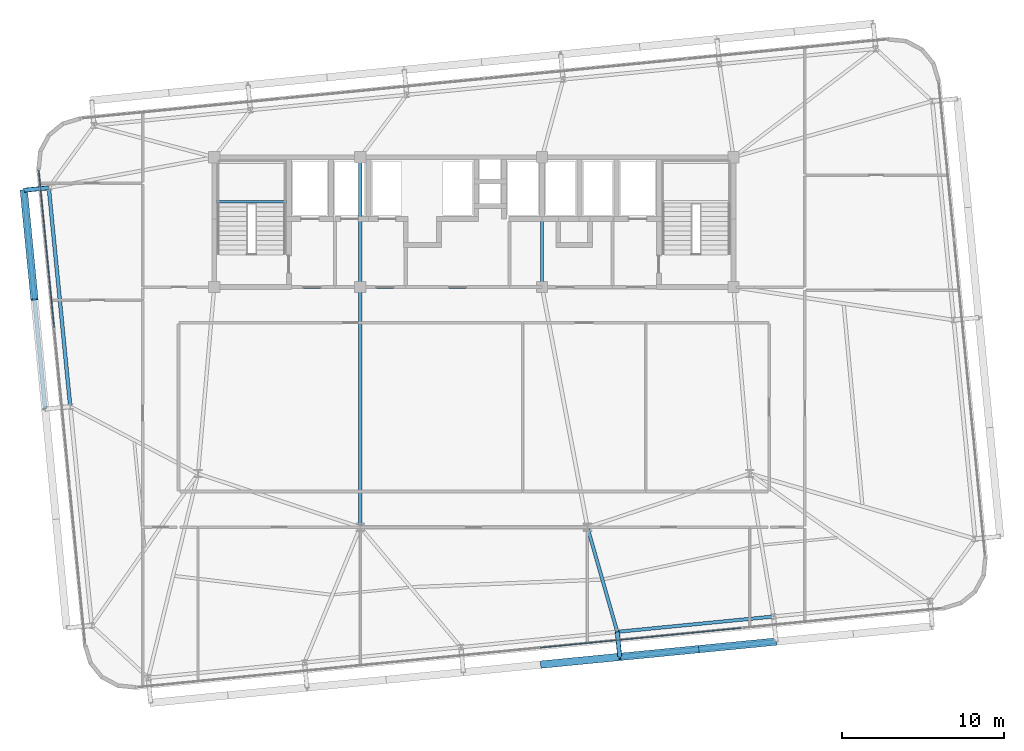
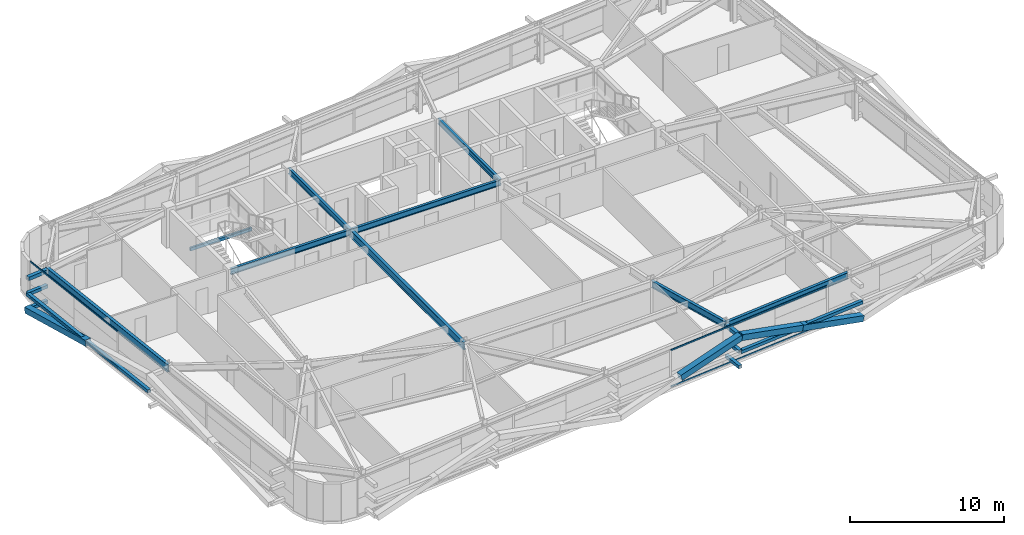
# One storey, part 14 of 47: 16 members, 9 beams, 2 elements without a shape of their own.
"""IFC4 building model written with IfcOpenShell, lengths in metres."""

from ifc_helpers import new_model, si_unit, direction, frame, origin, origin_2d, place, context, subcontext, project, spatial, hollow_rectangle, i_section, extrude, source, transform, mapped, material, layer, layer_set, material_profile, profile_set, type_object, element, aggregate, save


model = new_model("IFC4")

# Units and contexts
model_context = context("Model", 3, precision=1e-05, world=origin(), true_north=direction((0.0, 1.0)))
body_context = subcontext(model_context, "Body", "Model", "MODEL_VIEW")
ifc_project = project(units=[si_unit("LENGTHUNIT", "METRE"), si_unit("AREAUNIT", "SQUARE_METRE"), si_unit("VOLUMEUNIT", "CUBIC_METRE"), si_unit("PLANEANGLEUNIT", "RADIAN"), si_unit("MASSUNIT", "GRAM", prefix="KILO")], contexts=[model_context])

# Site, building, storey
site_placement = place(None, origin())
site = spatial("IfcSite", under=ifc_project, at=site_placement, CompositionType="ELEMENT")
building_placement = place(site_placement, origin())
building = spatial("IfcBuilding", under=site, at=building_placement, Name="Taldren Reach Tower", CompositionType="ELEMENT")
storey_placement = place(building_placement, frame((0.0, 0.0, 106.050048828125)))
storey = spatial("IfcBuildingStorey", under=building, at=storey_placement, Name="L32", CompositionType="ELEMENT", Elevation=106.050048828125)

# Beams
ifc_material_1 = material(Name="Steel Gr 350 (350PLUS)", Category="steel")
ifc_material_profile_1 = material_profile(ifc_material_1, i_section(OverallWidth=0.19091796875, OverallDepth=0.4599609375, WebThickness=0.010009765625, FlangeThickness=0.01611328125, at=origin_2d()), Name="460UB82.1")
ifc_profile_set_1 = profile_set([ifc_material_profile_1], Name="Steel Gr 350 (350PLUS)")
beam_type_1 = type_object("IfcBeamType", Name="BM-UB460A", PredefinedType="BEAM", material=ifc_profile_set_1)
shared_shape_1 = source(origin(), body_context, "Body", "SweptSolid", [
    extrude(i_section(OverallWidth=0.19091796875, OverallDepth=0.4599609375, WebThickness=0.010009765625, FlangeThickness=0.01611328125, at=origin_2d()), origin(), (0.0, 0.0, 1.0), 9.0),
])
beam_1_placement = place(storey_placement, frame((19.0, 24.0, 2.699951171875), z_axis=(1.0, 0.0, 0.0), x_axis=(0.0, 1.0, 0.0)))
element("IfcBeam", 1, at=beam_1_placement, inside=storey, type_object=beam_type_1, Name="Core-spine girder L32-SP01", PredefinedType="BEAM", context=body_context, shape_type="MappedRepresentation", body=[
    mapped(shared_shape_1, transform((0.0, 0.0, 0.0), scale=1.0)),
])
shared_shape_2 = source(origin(), body_context, "Body", "SweptSolid", [
    extrude(i_section(OverallWidth=0.19091796875, OverallDepth=0.4599609375, WebThickness=0.010009765625, FlangeThickness=0.01611328125, at=origin_2d()), origin(), (0.0, 0.0, 1.0), 11.199951171875),
])
beam_2_placement = place(storey_placement, frame((28.0, 24.0, 2.699951171875), z_axis=(1.0, 0.0, 0.0), x_axis=(0.0, 1.0, 0.0)))
element("IfcBeam", 2, at=beam_2_placement, inside=storey, type_object=beam_type_1, Name="Core-spine girder L32-SP02", PredefinedType="BEAM", context=body_context, shape_type="MappedRepresentation", body=[
    mapped(shared_shape_2, transform((0.0, 0.0, 0.0), scale=1.0)),
])
shared_shape_3 = source(origin(), body_context, "Body", "SweptSolid", [
    extrude(i_section(OverallWidth=0.19091796875, OverallDepth=0.4599609375, WebThickness=0.010009765625, FlangeThickness=0.01611328125, at=origin_2d()), origin(), (0.0, 0.0, 1.0), 8.0),
])
for number, where, z_axis, x_axis, name in (
    (3, (28.0, 24.0, 2.699951171875), (0.0, 1.0, 0.0), (-1.0, 0.0, 0.0), "Core-spine girder L32-SP07"),
    (4, (39.199951171875, 24.0, 2.699951171875), (0.0, 1.0, 0.0), (-1.0, 0.0, 0.0), "Core-spine girder L32-SP08"),
):
    element("IfcBeam", number, at=place(storey_placement, frame(where, z_axis=z_axis, x_axis=x_axis)), inside=storey, type_object=beam_type_1, Name=name, PredefinedType="BEAM", context=body_context, shape_type="MappedRepresentation", body=[
        mapped(shared_shape_3, transform((0.0, 0.0, 0.0), scale=1.0)),
    ])
ifc_material_profile_2 = material_profile(ifc_material_1, i_section(OverallWidth=0.22802734375, OverallDepth=0.60205078125, WebThickness=0.010498046875, FlangeThickness=0.014892578125, at=origin_2d()), Name="610UB101")
ifc_profile_set_2 = profile_set([ifc_material_profile_2], Name="Steel Gr 350 (350PLUS)")
beam_type_2 = type_object("IfcBeamType", Name="BM-UB610B", PredefinedType="BEAM", material=ifc_profile_set_2)
shared_shape_4 = source(origin(), body_context, "Body", "SweptSolid", [
    extrude(i_section(OverallWidth=0.22802734375, OverallDepth=0.60205078125, WebThickness=0.010498046875, FlangeThickness=0.014892578125, at=origin_2d()), origin(), (0.0, 0.0, 1.0), 14.800048828125),
])
beam_3_placement = place(storey_placement, frame((28.0, 24.0, 2.62890625), z_axis=(0.0, -1.0, 0.0), x_axis=(1.0, 0.0, 0.0)))
element("IfcBeam", 5, at=beam_3_placement, inside=storey, type_object=beam_type_2, Name="Core-spine girder L32-SP14", PredefinedType="BEAM", context=body_context, shape_type="MappedRepresentation", body=[
    mapped(shared_shape_4, transform((0.0, 0.0, 0.0), scale=1.0)),
])

# Members
ifc_material_2 = material(Name="Steel Gr 450 (C450L0)", Category="steel")
ifc_material_profile_3 = material_profile(ifc_material_2, hollow_rectangle(XDim=0.27490234375, YDim=0.27490234375, WallThickness=0.00927734375, at=origin_2d()), Name="275x275x9.3SHS")
ifc_profile_set_3 = profile_set([ifc_material_profile_3], Name="Steel Gr 450 (C450L0)")
member_type_1 = type_object("IfcMemberType", Name="MB-TIE273", PredefinedType="STRUT", material=ifc_profile_set_3)
shared_shape_5 = source(origin(), body_context, "Body", "SweptSolid", [
    extrude(hollow_rectangle(XDim=0.27490234375, YDim=0.27490234375, WallThickness=0.00927734375, at=origin_2d()), origin(), (0.0, 0.0, 1.0), 1.5498046875),
])
member_1_placement = place(storey_placement, frame((43.83544921875, 2.75390625, 2.64990234375), z_axis=(0.097663201064, -0.995219523099, 0.0), x_axis=(0.995219523099, 0.097663201064, 0.0)))
element("IfcMember", 6, at=member_1_placement, inside=storey, type_object=member_type_1, Name="Exoskeleton diaphragm tie strut B2-S4 L32", PredefinedType="STRUT", context=body_context, shape_type="MappedRepresentation", body=[
    mapped(shared_shape_5, transform((0.0, 0.0, 0.0), scale=1.0)),
])
ifc_material_3 = material(Name="Steel Gr 350 (C350L0)", Category="steel")
ifc_material_profile_4 = material_profile(ifc_material_3, hollow_rectangle(XDim=0.25, YDim=0.25, WallThickness=0.010009765625, at=origin_2d()), Name="250x250x10.0SHS")
ifc_profile_set_4 = profile_set([ifc_material_profile_4], Name="Steel Gr 350 (C350L0)")
member_type_2 = type_object("IfcMemberType", Name="MB-POST250", PredefinedType="POST", material=ifc_profile_set_4)
shared_shape_6 = source(origin(), body_context, "Body", "SweptSolid", [
    extrude(hollow_rectangle(XDim=0.25, YDim=0.25, WallThickness=0.010009765625, at=origin_2d()), origin(), (0.0, 0.0, 1.0), 1.5498046875),
])
for number, where, z_axis, x_axis, name in (
    (7, (43.83544921875, 2.75390625, 0.219970703125), (0.097663201064, -0.995219523099, 0.0), (0.995219523099, 0.097663201064, 0.0), "Exoskeleton base diaphragm tie strut B2-S4 L32"),
    (8, (43.83544921875, 2.75390625, 1.43505859375), (0.097663201064, -0.995219523099, 0.0), (0.995219523099, 0.097663201064, 0.0), "Exoskeleton mid-tier diaphragm tie B2-S4 L32"),
):
    element("IfcMember", number, at=place(storey_placement, frame(where, z_axis=z_axis, x_axis=x_axis)), inside=storey, type_object=member_type_2, Name=name, PredefinedType="POST", context=body_context, shape_type="MappedRepresentation", body=[
        mapped(shared_shape_6, transform((0.0, 0.0, 0.0), scale=1.0)),
    ])

# Beams
ifc_material_profile_5 = material_profile(ifc_material_1, i_section(OverallWidth=0.208984375, OverallDepth=0.528076171875, WebThickness=0.009521484375, FlangeThickness=0.01318359375, at=origin_2d()), Name="530UB82.0")
ifc_profile_set_5 = profile_set([ifc_material_profile_5], Name="Steel Gr 350 (350PLUS)")
beam_type_3 = type_object("IfcBeamType", Name="SP-UB530B", PredefinedType="SPANDREL", material=ifc_profile_set_5)
shared_shape_7 = source(origin(), body_context, "Body", "SweptSolid", [
    extrude(i_section(OverallWidth=0.208984375, OverallDepth=0.528076171875, WebThickness=0.009521484375, FlangeThickness=0.01318359375, at=origin_2d()), origin(), (0.0, 0.0, 1.0), 9.68017578125),
])
beam_4_placement = place(storey_placement, frame((43.83544921875, 2.75390625, 2.666015625), z_axis=(0.995227852805, 0.097578281404, 0.0), x_axis=(-0.097578281404, 0.995227852805, 0.0)))
element("IfcBeam", 9, at=beam_4_placement, inside=storey, type_object=beam_type_3, Name="Perimeter spandrel B2 S4-S5 L32", PredefinedType="SPANDREL", context=body_context, shape_type="MappedRepresentation", body=[
    mapped(shared_shape_7, transform((0.0, 0.0, 0.0), scale=1.0)),
])
shared_shape_8 = source(origin(), body_context, "Body", "SweptSolid", [
    extrude(i_section(OverallWidth=0.22802734375, OverallDepth=0.60205078125, WebThickness=0.010498046875, FlangeThickness=0.014892578125, at=origin_2d()), origin(), (0.0, 0.0, 1.0), 13.550048828125),
])
beam_5_placement = place(storey_placement, frame((8.808349609375, 30.116455078125, 2.62890625), z_axis=(0.097584021339, -0.995227290009, 0.0), x_axis=(0.995227290009, 0.097584021339, 0.0)))
element("IfcBeam", 10, at=beam_5_placement, inside=storey, type_object=beam_type_2, Name="Perimeter gable girder B2 W3-W2 L32", PredefinedType="BEAM", context=body_context, shape_type="MappedRepresentation", body=[
    mapped(shared_shape_8, transform((0.0, 0.0, 0.0), scale=1.0)),
])
ifc_material_profile_6 = material_profile(ifc_material_1, i_section(OverallWidth=0.208984375, OverallDepth=0.532958984375, WebThickness=0.01025390625, FlangeThickness=0.015625, at=origin_2d()), Name="530UB92.4")
ifc_profile_set_6 = profile_set([ifc_material_profile_6], Name="Steel Gr 350 (350PLUS)")
beam_type_4 = type_object("IfcBeamType", Name="BM-UB530A", PredefinedType="BEAM", material=ifc_profile_set_6)
shared_shape_9 = source(origin(), body_context, "Body", "SweptSolid", [
    extrude(i_section(OverallWidth=0.208984375, OverallDepth=0.532958984375, WebThickness=0.01025390625, FlangeThickness=0.015625, at=origin_2d()), origin(), (0.0, 0.0, 1.0), 6.7021484375),
])
beam_6_placement = place(storey_placement, frame((42.0, 9.199951171875, 2.663330078125), z_axis=(0.273855026091, -0.961770983491, 0.0), x_axis=(0.961770983491, 0.273855026091, 0.0)))
element("IfcBeam", 11, at=beam_6_placement, inside=storey, type_object=beam_type_4, Name="Primary floor girder B2-S4 L32", PredefinedType="BEAM", context=body_context, shape_type="MappedRepresentation", body=[
    mapped(shared_shape_9, transform((0.0, 0.0, 0.0), scale=1.0)),
])

# Members
shared_shape_10 = source(origin(), body_context, "Body", "SweptSolid", [
    extrude(hollow_rectangle(XDim=0.27490234375, YDim=0.27490234375, WallThickness=0.00927734375, at=origin_2d()), origin(), (0.0, 0.0, 1.0), 1.550048828125),
])
member_2_placement = place(storey_placement, frame((8.808349609375, 30.116455078125, 2.64990234375), z_axis=(-0.9952210252, -0.097647892962, 0.0), x_axis=(0.097647892962, -0.9952210252, 0.0)))
element("IfcMember", 12, at=member_2_placement, inside=storey, type_object=member_type_1, Name="Exoskeleton diaphragm tie strut B2-W3 L32", PredefinedType="STRUT", context=body_context, shape_type="MappedRepresentation", body=[
    mapped(shared_shape_10, transform((0.0, 0.0, 0.0), scale=1.0)),
])
ifc_material_profile_7 = material_profile(ifc_material_2, hollow_rectangle(XDim=0.4599609375, YDim=0.4599609375, WallThickness=0.01611328125, at=origin_2d()), Name="460x460x16.0SHS")
ifc_profile_set_7 = profile_set([ifc_material_profile_7], Name="Steel Gr 450 (C450L0)")
member_type_3 = type_object("IfcMemberType", Name="MB-EXO457", PredefinedType="BRACE", material=ifc_profile_set_7)
shared_shape_11 = source(origin(), body_context, "Body", "SweptSolid", [
    extrude(hollow_rectangle(XDim=0.4599609375, YDim=0.4599609375, WallThickness=0.01611328125, at=origin_2d()), origin(), (0.0, 0.0, 1.0), 4.990234375),
])
for number, where, z_axis, x_axis, name in (
    (13, (39.169921875, 0.739013671875, 1.43505859375), (0.965282554799, 0.094669120301, 0.243448859234), (-0.097605711627, 0.995225162995, 0.0), "Exoskeleton Diagrid Brace B2-S3 L32"),
    (14, (53.62060546875, 2.156005859375, 0.219970703125), (-0.965271056716, -0.094667992638, 0.243494883389), (0.097605711627, -0.995225162995, 0.0), "Exoskeleton Diagrid Brace B2-S4 L32"),
    (15, (48.8037109375, 1.68359375, 1.43505859375), (-0.965287024526, -0.094620633828, 0.24344998652), (0.097555749586, -0.995230061706, 0.0), "Exoskeleton Diagrid Brace B2-S4 L32"),
):
    element("IfcMember", number, at=place(storey_placement, frame(where, z_axis=z_axis, x_axis=x_axis)), inside=storey, type_object=member_type_3, Name=name, PredefinedType="BRACE", context=body_context, shape_type="MappedRepresentation", body=[
        mapped(shared_shape_11, transform((0.0, 0.0, 0.0), scale=1.0)),
    ])
shared_shape_12 = source(origin(), body_context, "Body", "SweptSolid", [
    extrude(hollow_rectangle(XDim=0.25, YDim=0.25, WallThickness=0.010009765625, at=origin_2d()), origin(), (0.0, 0.0, 1.0), 9.679931640625),
])
member_3_placement = place(storey_placement, frame((43.98681640625, 1.21142578125, 1.43505859375), z_axis=(0.995227612658, 0.097580730699, 0.0), x_axis=(-0.097580730699, 0.995227612658, 0.0)))
element("IfcMember", 16, at=member_3_placement, inside=storey, type_object=member_type_2, Name="Exoskeleton mid-height ring chord B2-S4 L32", PredefinedType="POST", context=body_context, shape_type="MappedRepresentation", body=[
    mapped(shared_shape_12, transform((0.0, 0.0, 0.0), scale=1.0)),
])
shared_shape_13 = source(origin(), body_context, "Body", "SweptSolid", [
    extrude(hollow_rectangle(XDim=0.25, YDim=0.25, WallThickness=0.010009765625, at=origin_2d()), origin(), (0.0, 0.0, 1.0), 1.550048828125),
])
for number, where, z_axis, x_axis, name in (
    (17, (8.808349609375, 30.116455078125, 0.219970703125), (-0.9952210252, -0.097647892962, 0.0), (0.097647892962, -0.9952210252, 0.0), "Exoskeleton base diaphragm tie strut B2-W3 L32"),
    (18, (8.808349609375, 30.116455078125, 1.43505859375), (-0.9952210252, -0.097647892962, 0.0), (0.097647892962, -0.9952210252, 0.0), "Exoskeleton mid-tier diaphragm tie B2-W3 L32"),
):
    element("IfcMember", number, at=place(storey_placement, frame(where, z_axis=z_axis, x_axis=x_axis)), inside=storey, type_object=member_type_2, Name=name, PredefinedType="POST", context=body_context, shape_type="MappedRepresentation", body=[
        mapped(shared_shape_13, transform((0.0, 0.0, 0.0), scale=1.0)),
    ])
shared_shape_14 = source(origin(), body_context, "Body", "SweptSolid", [
    extrude(hollow_rectangle(XDim=0.4599609375, YDim=0.4599609375, WallThickness=0.01611328125, at=origin_2d()), origin(), (0.0, 0.0, 1.0), 6.883056640625),
])
member_4_placement = place(storey_placement, frame((7.265625, 29.965087890625, 0.219970703125), z_axis=(0.09605145821, -0.97959718347, 0.176531797456), x_axis=(0.995227290009, 0.097584021339, 0.0)))
element("IfcMember", 19, at=member_4_placement, inside=storey, type_object=member_type_3, Name="Exoskeleton Diagrid Brace B2-W2 L32", PredefinedType="BRACE", context=body_context, shape_type="MappedRepresentation", body=[
    mapped(shared_shape_14, transform((0.0, 0.0, 0.0), scale=1.0)),
])
shared_shape_15 = source(origin(), body_context, "Body", "SweptSolid", [
    extrude(hollow_rectangle(XDim=0.25, YDim=0.25, WallThickness=0.010009765625, at=origin_2d()), origin(), (0.0, 0.0, 1.0), 13.550048828125),
])
member_5_placement = place(storey_placement, frame((8.587890625, 16.479736328125, 1.43505859375), z_axis=(-0.097584021339, 0.995227290009, 0.0), x_axis=(-0.995227290009, -0.097584021339, 0.0)))
element("IfcMember", 20, at=member_5_placement, inside=storey, type_object=member_type_2, Name="Exoskeleton mid-height ring chord B2-W2 L32", PredefinedType="POST", context=body_context, shape_type="MappedRepresentation", body=[
    mapped(shared_shape_15, transform((0.0, 0.0, 0.0), scale=1.0)),
])

# Curtain wall, members
ifc_material_4 = material(Name="Aluminium and Low-E Glass Unitised System", Category="aluminium")
ifc_layer = layer(ifc_material_4, 0.159912109375)
ifc_layer_set = layer_set([ifc_layer], Name="Aluminium and Low-E Glass Unitised System")
curtain_wall_type = type_object("IfcCurtainWallType", Name="CW-SYS-3", PredefinedType="NOTDEFINED", material=ifc_layer_set)
curtain_wall_1_placement = place(storey_placement, origin())
curtain_wall_1 = element("IfcCurtainWall", 21, at=curtain_wall_1_placement, inside=storey, type_object=curtain_wall_type, Name="Unitised curtain wall CW-L32-S", PredefinedType="NOTDEFINED")
ifc_material_5 = material(Name="Anodised Aluminium 6063-T6", Category="aluminium")
ifc_material_profile_8 = material_profile(ifc_material_5, hollow_rectangle(XDim=0.054931640625, YDim=0.1201171875, WallThickness=0.0029296875, at=origin_2d()), Name="ALU-120x55x3RHS")
ifc_profile_set_8 = profile_set([ifc_material_profile_8], Name="Anodised Aluminium 6063-T6")
member_type_4 = type_object("IfcMemberType", Name="CW-TRN-135", PredefinedType="USERDEFINED", material=ifc_profile_set_8)
shared_shape_16 = source(origin(), body_context, "Body", "SweptSolid", [
    extrude(hollow_rectangle(XDim=0.054931640625, YDim=0.1201171875, WallThickness=0.0029296875, at=origin_2d()), origin(), (0.0, 0.0, 1.0), 12.434814453125),
])
member_6_placement = place(storey_placement, frame((39.100830078125, 1.777099609375, 0.02734375), z_axis=(0.995225870556, 0.097598496795, 0.0), x_axis=(-0.097598496795, 0.995225870556, 0.0)))
member_6 = element("IfcMember", 22, at=member_6_placement, type_object=member_type_4, Name="CW-3 transom 3.1", ObjectType="TRANSOM", PredefinedType="USERDEFINED", context=body_context, shape_type="MappedRepresentation", body=[
    mapped(shared_shape_16, transform((0.0, 0.0, 0.0), scale=1.0)),
])
member_7_placement = place(storey_placement, frame((39.100830078125, 1.777099609375, 2.90234375), z_axis=(0.995225870556, 0.097598496795, 0.0), x_axis=(-0.097598496795, 0.995225870556, 0.0)))
member_7 = element("IfcMember", 23, at=member_7_placement, type_object=member_type_4, Name="CW-3 transom 3.2", ObjectType="TRANSOM", PredefinedType="USERDEFINED", context=body_context, shape_type="MappedRepresentation", body=[
    mapped(shared_shape_16, transform((0.0, 0.0, 0.0), scale=1.0)),
])
aggregate(curtain_wall_1, [member_6, member_7])

curtain_wall_2_placement = place(storey_placement, origin())
curtain_wall_2 = element("IfcCurtainWall", 24, at=curtain_wall_2_placement, inside=storey, type_object=curtain_wall_type, Name="Unitised curtain wall CW-L32-W", PredefinedType="NOTDEFINED")
shared_shape_17 = source(origin(), body_context, "Body", "SweptSolid", [
    extrude(hollow_rectangle(XDim=0.054931640625, YDim=0.1201171875, WallThickness=0.0029296875, at=origin_2d()), origin(), (0.0, 0.0, 1.0), 9.73583984375),
])
member_8_placement = place(storey_placement, frame((8.18994140625, 31.1962890625, 0.02734375), z_axis=(0.097571911043, -0.995228477374, 0.0), x_axis=(0.995228477374, 0.097571911043, 0.0)))
member_8 = element("IfcMember", 25, at=member_8_placement, type_object=member_type_4, Name="CW-3 transom 1.1", ObjectType="TRANSOM", PredefinedType="USERDEFINED", context=body_context, shape_type="MappedRepresentation", body=[
    mapped(shared_shape_17, transform((0.0, 0.0, 0.0), scale=1.0)),
])
member_9_placement = place(storey_placement, frame((8.18994140625, 31.1962890625, 2.90234375), z_axis=(0.097571911043, -0.995228477374, 0.0), x_axis=(0.995228477374, 0.097571911043, 0.0)))
member_9 = element("IfcMember", 26, at=member_9_placement, type_object=member_type_4, Name="CW-3 transom 1.2", ObjectType="TRANSOM", PredefinedType="USERDEFINED", context=body_context, shape_type="MappedRepresentation", body=[
    mapped(shared_shape_17, transform((0.0, 0.0, 0.0), scale=1.0)),
])
aggregate(curtain_wall_2, [member_8, member_9])

# Beam
ifc_material_profile_9 = material_profile(ifc_material_3, hollow_rectangle(XDim=0.14990234375, YDim=0.25, WallThickness=0.009033203125, at=origin_2d()), Name="250x150x9.0RHS")
ifc_profile_set_9 = profile_set([ifc_material_profile_9], Name="Steel Gr 350 (C350L0)")
beam_type_5 = type_object("IfcBeamType", Name="LN-RHS250", PredefinedType="LINTEL", material=ifc_profile_set_9)
shared_shape_18 = source(origin(), body_context, "Body", "SweptSolid", [
    extrude(hollow_rectangle(XDim=0.14990234375, YDim=0.25, WallThickness=0.009033203125, at=origin_2d()), origin(), (0.0, 0.0, 1.0), 4.60009765625),
])
beam_7_placement = place(storey_placement, frame((19.0, 29.2548828125, 1.27001953125), z_axis=(1.0, 0.0, 0.0), x_axis=(0.0, 1.0, 0.0)))
element("IfcBeam", 27, at=beam_7_placement, inside=storey, type_object=beam_type_5, Name="Stair half-landing support beam ST1-L32-1", PredefinedType="LINTEL", context=body_context, shape_type="MappedRepresentation", body=[
    mapped(shared_shape_18, transform((0.0, 0.0, 0.0), scale=1.0)),
])

save(model, "model.ifc")
